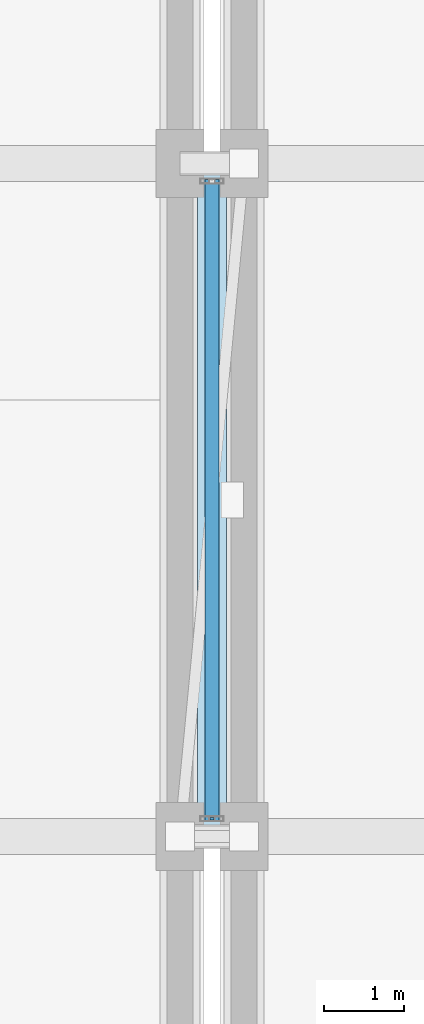
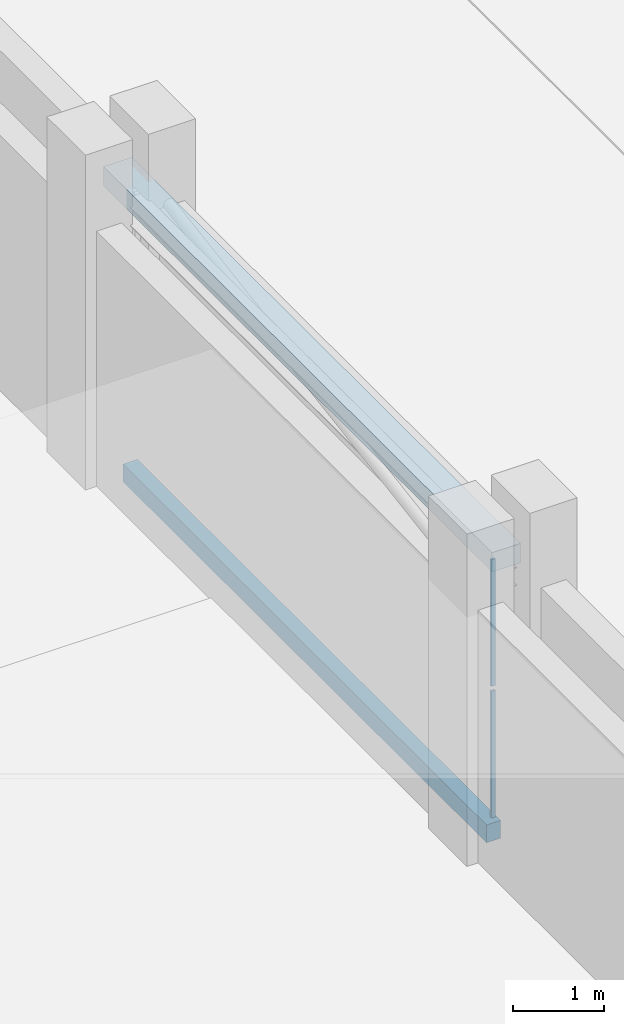
# One storey, part 93 of 137: 2 plates, 2 slabs, 1 element without a shape of its own.
"""IFC4 building model written with IfcOpenShell, lengths in metres."""

from ifc_helpers import new_model, si_unit, direction, frame, origin, origin_2d, place, context, subcontext, project, spatial, polyline, rectangle, outline, extrude, material, layer, layer_set, type_object, element, aggregate, save


model = new_model("IFC4")

# Units and contexts
model_context = context("Model", 3, precision=1e-05, world=origin(), true_north=direction((0.0, 1.0)))
body_context = subcontext(model_context, "Body", "Model", "MODEL_VIEW")
ifc_project = project(units=[si_unit("LENGTHUNIT", "METRE"), si_unit("AREAUNIT", "SQUARE_METRE"), si_unit("VOLUMEUNIT", "CUBIC_METRE"), si_unit("PLANEANGLEUNIT", "RADIAN"), si_unit("MASSUNIT", "GRAM", prefix="KILO")], contexts=[model_context])

# Site, building, storey
site_placement = place(None, origin())
site = spatial("IfcSite", under=ifc_project, at=site_placement, CompositionType="ELEMENT")
building_placement = place(site_placement, origin())
building = spatial("IfcBuilding", under=site, at=building_placement, Name="Xazarin Passage Department Store", CompositionType="ELEMENT")
storey_placement = place(building_placement, frame((0.0, 0.0, 5.39990234375)))
storey = spatial("IfcBuildingStorey", under=building, at=storey_placement, Name="L01", CompositionType="ELEMENT", Elevation=5.39990234375)

# Curtain wall, plates
ifc_material_1 = material(Name="Bronze anodised aluminium", Category="aluminium")
ifc_layer_1 = layer(ifc_material_1, 0.14990234375)
ifc_layer_set_1 = layer_set([ifc_layer_1], Name="Bronze anodised aluminium")
curtain_wall_type = type_object("IfcCurtainWallType", Name="ARC-CW-BRG1", PredefinedType="NOTDEFINED", material=ifc_layer_set_1)
curtain_wall_placement = place(storey_placement, origin())
curtain_wall = element("IfcCurtainWall", 1, at=curtain_wall_placement, inside=storey, type_object=curtain_wall_type, Name="L01 BR-V2S-V3 Bridge Curtain Wall 1", PredefinedType="NOTDEFINED")
ifc_material_2 = material(Name="Low-E laminated safety glass", Category="glass")
ifc_layer_2 = layer(ifc_material_2, 0.028076171875)
ifc_layer_set_2 = layer_set([ifc_layer_2], Name="Low-E laminated safety glass")
plate_type = type_object("IfcPlateType", Name="ARC-CWP-GLZ28", PredefinedType="CURTAIN_PANEL", material=ifc_layer_set_2)
plate_1_placement = place(storey_placement, frame((67.60009765625, 25.419921875, 0.06494140625), z_axis=(0.0, 0.0, 1.0), x_axis=(1.0, 0.0, 0.0)))
plate_1 = element("IfcPlate", 2, at=plate_1_placement, type_object=plate_type, Name="CW7 panel 1.1", PredefinedType="CURTAIN_PANEL", context=body_context, shape_type="SweptSolid", body=[
    extrude(rectangle(XDim=0.050048828125, YDim=0.028076171875, at=origin_2d()), origin(), (0.0, 0.0, 1.0), 1.702392578125),
])
plate_2_placement = place(storey_placement, frame((67.60009765625, 25.419921875, 1.83251953125), z_axis=(0.0, 0.0, 1.0), x_axis=(1.0, 0.0, 0.0)))
plate_2 = element("IfcPlate", 3, at=plate_2_placement, type_object=plate_type, Name="CW7 panel 1.2", PredefinedType="CURTAIN_PANEL", context=body_context, shape_type="SweptSolid", body=[
    extrude(rectangle(XDim=0.050048828125, YDim=0.028076171875, at=origin_2d()), origin(), (0.0, 0.0, 1.0), 1.702392578125),
])
aggregate(curtain_wall, [plate_1, plate_2])

# Slabs
ifc_material_3 = material(Name="Concrete C35/45", Category="concrete")
ifc_layer_3 = layer(ifc_material_3, 0.239990234375)
ifc_layer_set_3 = layer_set([ifc_layer_3], Name="Concrete C35/45")
slab_type_1 = type_object("IfcSlabType", Name="STR-SLB-BRG240", PredefinedType="FLOOR", material=ifc_layer_set_3)
slab_1_placement = place(storey_placement, frame((0.0, 0.0, -0.239990234375)))
element("IfcSlab", 4, at=slab_1_placement, inside=storey, type_object=slab_type_1, Name="L01 BR-V2S-V3 Bridge Floor Deck", PredefinedType="FLOOR", context=body_context, shape_type="SweptSolid", body=[
    extrude(outline(polyline([(67.510009765625, 25.39990234375), (67.68994140625, 25.39990234375), (67.68994140625, 33.39990234375), (67.510009765625, 33.39990234375), (67.510009765625, 25.39990234375)])), origin(), (0.0, 0.0, 1.0), 0.239990234375),
])
ifc_layer_4 = layer(ifc_material_3, 0.260009765625)
ifc_layer_set_4 = layer_set([ifc_layer_4], Name="Concrete C35/45")
slab_type_2 = type_object("IfcSlabType", Name="STR-SLB-RF260", PredefinedType="ROOF", material=ifc_layer_set_4)
slab_2_placement = place(storey_placement, frame((0.0, 0.0, 3.60009765625)))
element("IfcSlab", 5, at=slab_2_placement, inside=storey, type_object=slab_type_2, Name="L01 BR-V2S-V3 Bridge Roof Deck", PredefinedType="ROOF", context=body_context, shape_type="SweptSolid", body=[
    extrude(outline(polyline([(67.419921875, 25.1201171875), (67.780029296875, 25.1201171875), (67.780029296875, 33.679931640625), (67.419921875, 33.679931640625), (67.419921875, 25.1201171875)])), origin(), (0.0, 0.0, 1.0), 0.260009765625),
])

save(model, "model.ifc")
